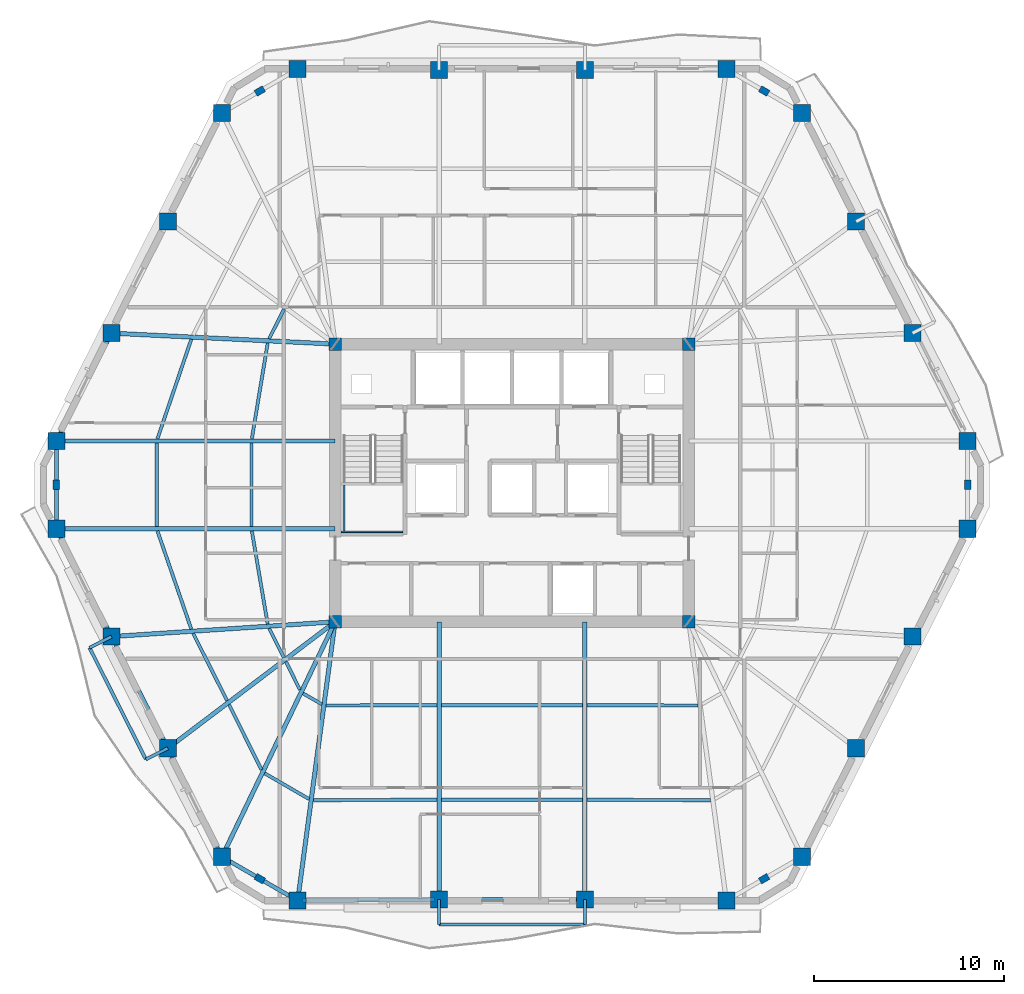
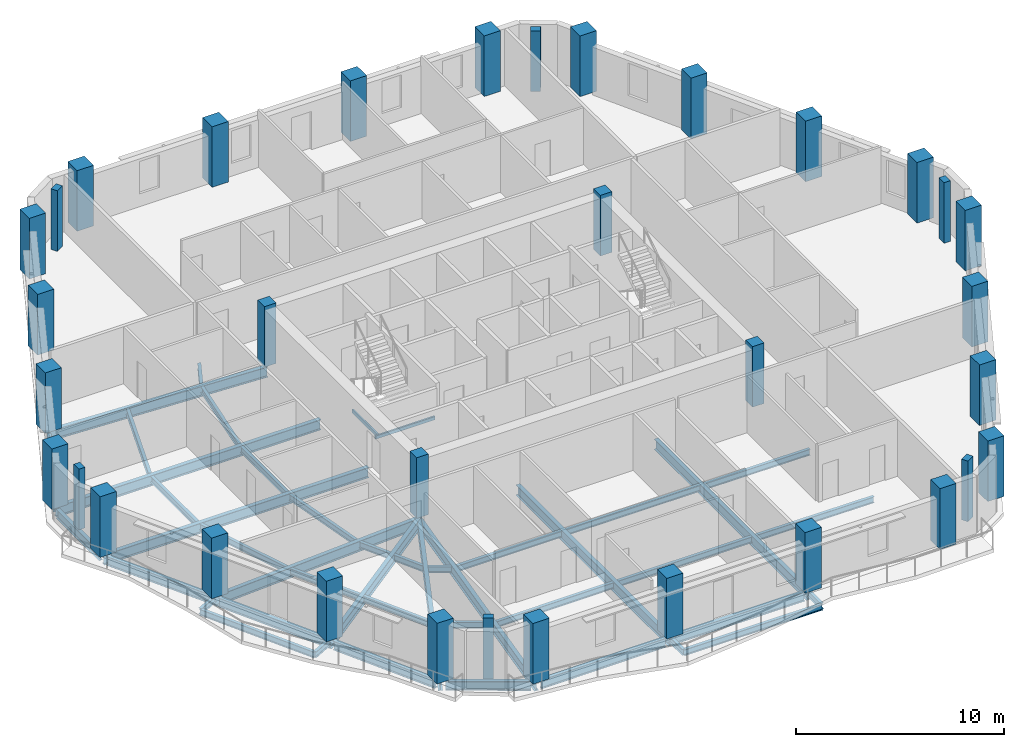
# One storey, part 1 of 12: 44 beams, 34 columns.
"""IFC4 building model written with IfcOpenShell, lengths in metres."""

from ifc_helpers import new_model, si_unit, direction, frame, origin, origin_2d, place, context, subcontext, project, spatial, rectangle, hollow_rectangle, i_section, extrude, material, material_profile, profile_set, type_object, element, save


model = new_model("IFC4")

# Units and contexts
model_context = context("Model", 3, precision=1e-05, world=origin(), true_north=direction((0.0, 1.0)))
body_context = subcontext(model_context, "Body", "Model", "MODEL_VIEW")
ifc_project = project(units=[si_unit("LENGTHUNIT", "METRE"), si_unit("AREAUNIT", "SQUARE_METRE"), si_unit("VOLUMEUNIT", "CUBIC_METRE"), si_unit("PLANEANGLEUNIT", "RADIAN"), si_unit("MASSUNIT", "GRAM", prefix="KILO")], contexts=[model_context])

# Site, building, storey
site_placement = place(None, origin())
site = spatial("IfcSite", under=ifc_project, at=site_placement, CompositionType="ELEMENT")
building_placement = place(site_placement, origin())
building = spatial("IfcBuilding", under=site, at=building_placement, Name="Cinnabar Lancet Tower", CompositionType="ELEMENT")
storey_placement = place(building_placement, frame((0.0, 0.0, 153.5)))
storey = spatial("IfcBuildingStorey", under=building, at=storey_placement, Name="L40", CompositionType="ELEMENT", Elevation=153.5)

# Columns
ifc_material_1 = material(Name="Concrete C60/75", Category="concrete")
ifc_material_profile_1 = material_profile(ifc_material_1, rectangle(XDim=0.64990234375, YDim=0.64990234375, at=origin_2d()), Name="RC-COL 650x650")
ifc_profile_set_1 = profile_set([ifc_material_profile_1], Name="Concrete C60/75")
column_type_1 = type_object("IfcColumnType", Name="STR-COL-CORE-650", PredefinedType="COLUMN", material=ifc_profile_set_1)
for number, where, z_axis, x_axis, name in (
    (1, (23.10009765625, 18.60009765625, 0.0), (0.0, 0.0, 1.0), (1.0, 0.0, 0.0), "L40 Core Corner Column SW"),
    (2, (41.699951171875, 18.60009765625, 0.0), (0.0, 0.0, 1.0), (1.0, 0.0, 0.0), "L40 Core Corner Column SE"),
    (3, (41.699951171875, 33.199951171875, 0.0), (0.0, 0.0, 1.0), (1.0, 0.0, 0.0), "L40 Core Corner Column NE"),
    (4, (23.10009765625, 33.199951171875, 0.0), (0.0, 0.0, 1.0), (1.0, 0.0, 0.0), "L40 Core Corner Column NW"),
):
    element("IfcColumn", number, at=place(storey_placement, frame(where, z_axis=z_axis, x_axis=x_axis)), inside=storey, type_object=column_type_1, Name=name, PredefinedType="COLUMN", context=body_context, shape_type="SweptSolid", body=[
        extrude(rectangle(XDim=0.64990234375, YDim=0.64990234375, at=origin_2d()), origin(), (0.0, 0.0, 1.0), 3.550048828125),
    ])
ifc_material_2 = material(Name="Concrete C60/75", Category="concrete")
ifc_material_profile_2 = material_profile(ifc_material_2, rectangle(XDim=0.5, YDim=0.35009765625, at=origin_2d()), Name="RC-PIL 500x350")
ifc_profile_set_2 = profile_set([ifc_material_profile_2], Name="Concrete C60/75")
column_type_2 = type_object("IfcColumnType", Name="STR-COL-PIL-500", PredefinedType="PILASTER", material=ifc_profile_set_2)
for number, where, z_axis, x_axis, name in (
    (5, (19.14111328125, 5.093017578125, 0.0), (0.0, 0.0, 1.0), (0.865160173452, -0.501495637342, 0.0), "L40 Chamfered Corner Pilaster 1"),
    (6, (45.658935546875, 5.093017578125, 0.0), (0.0, 0.0, 1.0), (0.865160173452, 0.501495637342, 0.0), "L40 Chamfered Corner Pilaster 2"),
    (7, (56.35693359375, 25.800048828125, 0.0), (0.0, 0.0, 1.0), (0.0, 1.0, 0.0), "L40 Chamfered Corner Pilaster 3"),
    (8, (45.658935546875, 46.508056640625, 0.0), (0.0, 0.0, 1.0), (-0.865160173452, 0.501495637342, 0.0), "L40 Chamfered Corner Pilaster 4"),
    (9, (19.14111328125, 46.508056640625, 0.0), (0.0, 0.0, 1.0), (-0.865160173452, -0.501495637342, 0.0), "L40 Chamfered Corner Pilaster 5"),
    (10, (8.443115234375, 25.800048828125, 0.0), (0.0, 0.0, 1.0), (0.0, -1.0, 0.0), "L40 Chamfered Corner Pilaster 6"),
):
    element("IfcColumn", number, at=place(storey_placement, frame(where, z_axis=z_axis, x_axis=x_axis)), inside=storey, type_object=column_type_2, Name=name, PredefinedType="PILASTER", context=body_context, shape_type="SweptSolid", body=[
        extrude(rectangle(XDim=0.5, YDim=0.35009765625, at=origin_2d()), origin(), (0.0, 0.0, 1.0), 3.550048828125),
    ])
ifc_material_3 = material(Name="Concrete C60/75", Category="concrete")
ifc_material_profile_3 = material_profile(ifc_material_3, rectangle(XDim=0.89990234375, YDim=0.89990234375, at=origin_2d()), Name="RC-COL 900x900")
ifc_profile_set_3 = profile_set([ifc_material_profile_3], Name="Concrete C60/75")
column_type_3 = type_object("IfcColumnType", Name="STR-COL-TUBE-900", PredefinedType="COLUMN", material=ifc_profile_set_3)
for number, where, z_axis, x_axis, name in (
    (11, (21.131103515625, 3.93896484375, 0.0), (0.0, 0.0, 1.0), (1.0, 0.0, 0.0), "L40 Perimeter Tube Column 1"),
    (12, (28.568115234375, 3.991943359375, 0.0), (0.0, 0.0, 1.0), (1.0, 0.0, 0.0), "L40 Perimeter Tube Column 2"),
    (13, (36.23193359375, 3.991943359375, 0.0), (0.0, 0.0, 1.0), (1.0, 0.0, 0.0), "L40 Perimeter Tube Column 3"),
    (14, (43.6689453125, 3.93896484375, 0.0), (0.0, 0.0, 1.0), (1.0, 0.0, 0.0), "L40 Perimeter Tube Column 4"),
    (15, (47.64892578125, 6.24609375, 0.0), (0.0, 0.0, 1.0), (1.0, 0.0, 0.0), "L40 Perimeter Tube Column 5"),
    (16, (50.489013671875, 11.955078125, 0.0), (0.0, 0.0, 1.0), (1.0, 0.0, 0.0), "L40 Perimeter Tube Column 6"),
    (17, (53.451904296875, 17.823974609375, 0.0), (0.0, 0.0, 1.0), (1.0, 0.0, 0.0), "L40 Perimeter Tube Column 7"),
    (18, (56.35693359375, 23.490966796875, 0.0), (0.0, 0.0, 1.0), (1.0, 0.0, 0.0), "L40 Perimeter Tube Column 8"),
    (19, (56.35693359375, 28.10888671875, 0.0), (0.0, 0.0, 1.0), (1.0, 0.0, 0.0), "L40 Perimeter Tube Column 9"),
    (20, (53.451904296875, 33.77587890625, 0.0), (0.0, 0.0, 1.0), (1.0, 0.0, 0.0), "L40 Perimeter Tube Column 10"),
    (21, (50.489013671875, 39.64501953125, 0.0), (0.0, 0.0, 1.0), (1.0, 0.0, 0.0), "L40 Perimeter Tube Column 11"),
    (22, (47.64892578125, 45.35400390625, 0.0), (0.0, 0.0, 1.0), (1.0, 0.0, 0.0), "L40 Perimeter Tube Column 12"),
    (23, (43.6689453125, 47.660888671875, 0.0), (0.0, 0.0, 1.0), (1.0, 0.0, 0.0), "L40 Perimeter Tube Column 13"),
    (24, (36.23193359375, 47.60791015625, 0.0), (0.0, 0.0, 1.0), (1.0, 0.0, 0.0), "L40 Perimeter Tube Column 14"),
    (25, (28.568115234375, 47.60791015625, 0.0), (0.0, 0.0, 1.0), (1.0, 0.0, 0.0), "L40 Perimeter Tube Column 15"),
    (26, (21.131103515625, 47.660888671875, 0.0), (0.0, 0.0, 1.0), (1.0, 0.0, 0.0), "L40 Perimeter Tube Column 16"),
    (27, (17.15087890625, 45.35400390625, 0.0), (0.0, 0.0, 1.0), (1.0, 0.0, 0.0), "L40 Perimeter Tube Column 17"),
    (28, (14.31103515625, 39.64501953125, 0.0), (0.0, 0.0, 1.0), (1.0, 0.0, 0.0), "L40 Perimeter Tube Column 18"),
    (29, (11.347900390625, 33.77587890625, 0.0), (0.0, 0.0, 1.0), (1.0, 0.0, 0.0), "L40 Perimeter Tube Column 19"),
    (30, (8.443115234375, 28.10888671875, 0.0), (0.0, 0.0, 1.0), (1.0, 0.0, 0.0), "L40 Perimeter Tube Column 20"),
    (31, (8.443115234375, 23.490966796875, 0.0), (0.0, 0.0, 1.0), (1.0, 0.0, 0.0), "L40 Perimeter Tube Column 21"),
    (32, (11.347900390625, 17.823974609375, 0.0), (0.0, 0.0, 1.0), (1.0, 0.0, 0.0), "L40 Perimeter Tube Column 22"),
    (33, (14.31103515625, 11.955078125, 0.0), (0.0, 0.0, 1.0), (1.0, 0.0, 0.0), "L40 Perimeter Tube Column 23"),
    (34, (17.15087890625, 6.24609375, 0.0), (0.0, 0.0, 1.0), (1.0, 0.0, 0.0), "L40 Perimeter Tube Column 24"),
):
    element("IfcColumn", number, at=place(storey_placement, frame(where, z_axis=z_axis, x_axis=x_axis)), inside=storey, type_object=column_type_3, Name=name, PredefinedType="COLUMN", context=body_context, shape_type="SweptSolid", body=[
        extrude(rectangle(XDim=0.89990234375, YDim=0.89990234375, at=origin_2d()), origin(), (0.0, 0.0, 1.0), 3.550048828125),
    ])

# Beams
ifc_material_4 = material(Name="Structural steel S355", Category="steel")
ifc_material_profile_4 = material_profile(ifc_material_4, i_section(OverallWidth=0.17138671875, OverallDepth=0.35498046875, WebThickness=0.00732421875, FlangeThickness=0.011474609375, FilletRadius=0.01025390625, at=origin_2d()), Name="UKB 356x171x51")
ifc_profile_set_4 = profile_set([ifc_material_profile_4], Name="Structural steel S355")
beam_type_1 = type_object("IfcBeamType", Name="STR-BM-JST-356", PredefinedType="JOIST", material=ifc_profile_set_4)
beam_1_placement = place(storey_placement, frame((13.759033203125, 23.376953125, -0.387939453125), z_axis=(0.326162915393, -0.945313573701, 0.0), x_axis=(0.945313573701, 0.326162915393, 0.0)))
element("IfcBeam", 35, at=beam_1_placement, inside=storey, type_object=beam_type_1, Name="L40 Secondary Floor Joist 1", PredefinedType="JOIST", context=body_context, shape_type="SweptSolid", body=[
    extrude(i_section(OverallWidth=0.17138671875, OverallDepth=0.35498046875, WebThickness=0.00732421875, FlangeThickness=0.011474609375, FilletRadius=0.01025390625, at=origin_2d()), origin(), (0.0, 0.0, 1.0), 5.46044921875),
])
beam_2_placement = place(storey_placement, frame((18.721923828125, 23.376953125, -0.387939453125), z_axis=(0.167697718414, -0.985838463055, 0.0), x_axis=(0.985838463055, 0.167697718414, 0.0)))
element("IfcBeam", 36, at=beam_2_placement, inside=storey, type_object=beam_type_1, Name="L40 Secondary Floor Joist 2", PredefinedType="JOIST", context=body_context, shape_type="SweptSolid", body=[
    extrude(i_section(OverallWidth=0.17138671875, OverallDepth=0.35498046875, WebThickness=0.00732421875, FlangeThickness=0.011474609375, FilletRadius=0.01025390625, at=origin_2d()), origin(), (0.0, 0.0, 1.0), 4.96728515625),
])
beam_3_placement = place(storey_placement, frame((15.635009765625, 17.992919921875, -0.387939453125), z_axis=(0.450656035687, -0.892697674187, 0.0), x_axis=(0.892697674187, 0.450656035687, 0.0)))
element("IfcBeam", 37, at=beam_3_placement, inside=storey, type_object=beam_type_1, Name="L40 Secondary Floor Joist 3", PredefinedType="JOIST", context=body_context, shape_type="SweptSolid", body=[
    extrude(i_section(OverallWidth=0.17138671875, OverallDepth=0.35498046875, WebThickness=0.00732421875, FlangeThickness=0.011474609375, FilletRadius=0.01025390625, at=origin_2d()), origin(), (0.0, 0.0, 1.0), 3.9677734375),
])
beam_4_placement = place(storey_placement, frame((19.6298828125, 18.257080078125, -0.387939453125), z_axis=(0.45064755491, -0.892701955444, 0.0), x_axis=(0.892701955444, 0.45064755491, 0.0)))
element("IfcBeam", 38, at=beam_4_placement, inside=storey, type_object=beam_type_1, Name="L40 Secondary Floor Joist 4", PredefinedType="JOIST", context=body_context, shape_type="SweptSolid", body=[
    extrude(i_section(OverallWidth=0.17138671875, OverallDepth=0.35498046875, WebThickness=0.00732421875, FlangeThickness=0.011474609375, FilletRadius=0.01025390625, at=origin_2d()), origin(), (0.0, 0.0, 1.0), 1.733154296875),
])
beam_5_placement = place(storey_placement, frame((17.527099609375, 14.242919921875, -0.387939453125), z_axis=(0.445320605596, -0.895371184611, 0.0), x_axis=(0.895371184611, 0.445320605596, 0.0)))
element("IfcBeam", 39, at=beam_5_placement, inside=storey, type_object=beam_type_1, Name="L40 Secondary Floor Joist 5", PredefinedType="JOIST", context=body_context, shape_type="SweptSolid", body=[
    extrude(i_section(OverallWidth=0.17138671875, OverallDepth=0.35498046875, WebThickness=0.00732421875, FlangeThickness=0.011474609375, FilletRadius=0.01025390625, at=origin_2d()), origin(), (0.0, 0.0, 1.0), 3.819580078125),
])
beam_6_placement = place(storey_placement, frame((20.514892578125, 16.5029296875, -0.387939453125), z_axis=(0.445322008813, -0.895370486708, 0.0), x_axis=(0.895370486708, 0.445322008813, 0.0)))
element("IfcBeam", 40, at=beam_6_placement, inside=storey, type_object=beam_type_1, Name="L40 Secondary Floor Joist 6", PredefinedType="JOIST", context=body_context, shape_type="SweptSolid", body=[
    extrude(i_section(OverallWidth=0.17138671875, OverallDepth=0.35498046875, WebThickness=0.00732421875, FlangeThickness=0.011474609375, FilletRadius=0.01025390625, at=origin_2d()), origin(), (0.0, 0.0, 1.0), 1.65283203125),
])
beam_7_placement = place(storey_placement, frame((19.39208984375, 10.635986328125, -0.387939453125), z_axis=(0.865150214692, -0.501512817403, 0.0), x_axis=(0.501512817403, 0.865150214692, 0.0)))
element("IfcBeam", 41, at=beam_7_placement, inside=storey, type_object=beam_type_1, Name="L40 Secondary Floor Joist 7", PredefinedType="JOIST", context=body_context, shape_type="SweptSolid", body=[
    extrude(i_section(OverallWidth=0.17138671875, OverallDepth=0.35498046875, WebThickness=0.00732421875, FlangeThickness=0.011474609375, FilletRadius=0.01025390625, at=origin_2d()), origin(), (0.0, 0.0, 1.0), 2.70556640625),
])
beam_8_placement = place(storey_placement, frame((21.4140625, 14.8359375, -0.387939453125), z_axis=(0.865426285481, -0.501036270542, 0.0), x_axis=(0.501036270542, 0.865426285481, 0.0)))
element("IfcBeam", 42, at=beam_8_placement, inside=storey, type_object=beam_type_1, Name="L40 Secondary Floor Joist 8", PredefinedType="JOIST", context=body_context, shape_type="SweptSolid", body=[
    extrude(i_section(OverallWidth=0.17138671875, OverallDepth=0.35498046875, WebThickness=0.00732421875, FlangeThickness=0.011474609375, FilletRadius=0.01025390625, at=origin_2d()), origin(), (0.0, 0.0, 1.0), 1.1416015625),
])
beam_9_placement = place(storey_placement, frame((21.955078125, 9.218017578125, -0.387939453125), z_axis=(0.999987891549, 0.004921052359, 0.0), x_axis=(-0.004921052359, 0.999987891549, 0.0)))
element("IfcBeam", 43, at=beam_9_placement, inside=storey, type_object=beam_type_1, Name="L40 Secondary Floor Joist 9", PredefinedType="JOIST", context=body_context, shape_type="SweptSolid", body=[
    extrude(i_section(OverallWidth=0.17138671875, OverallDepth=0.35498046875, WebThickness=0.00732421875, FlangeThickness=0.011474609375, FilletRadius=0.01025390625, at=origin_2d()), origin(), (0.0, 0.0, 1.0), 6.4990234375),
])
beam_10_placement = place(storey_placement, frame((22.6240234375, 14.201904296875, -0.387939453125), z_axis=(0.999996629591, 0.002596306157, 0.0), x_axis=(-0.002596306157, 0.999996629591, 0.0)))
element("IfcBeam", 44, at=beam_10_placement, inside=storey, type_object=beam_type_1, Name="L40 Secondary Floor Joist 10", PredefinedType="JOIST", context=body_context, shape_type="SweptSolid", body=[
    extrude(i_section(OverallWidth=0.17138671875, OverallDepth=0.35498046875, WebThickness=0.00732421875, FlangeThickness=0.011474609375, FilletRadius=0.01025390625, at=origin_2d()), origin(), (0.0, 0.0, 1.0), 5.830078125),
])
for number, where, z_axis, x_axis, name in (
    (45, (28.681884765625, 9.2509765625, -0.387939453125), (1.0, 0.0, 0.0), (0.0, 1.0, 0.0), "L40 Secondary Floor Joist 11"),
    (46, (28.681884765625, 14.218017578125, -0.387939453125), (1.0, 0.0, 0.0), (0.0, 1.0, 0.0), "L40 Secondary Floor Joist 12"),
):
    element("IfcBeam", number, at=place(storey_placement, frame(where, z_axis=z_axis, x_axis=x_axis)), inside=storey, type_object=beam_type_1, Name=name, PredefinedType="JOIST", context=body_context, shape_type="SweptSolid", body=[
        extrude(i_section(OverallWidth=0.17138671875, OverallDepth=0.35498046875, WebThickness=0.00732421875, FlangeThickness=0.011474609375, FilletRadius=0.01025390625, at=origin_2d()), origin(), (0.0, 0.0, 1.0), 7.43603515625),
    ])
beam_11_placement = place(storey_placement, frame((36.345947265625, 9.25, -0.387939453125), z_axis=(0.999987891549, -0.004921052359, 0.0), x_axis=(0.004921052359, 0.999987891549, 0.0)))
element("IfcBeam", 47, at=beam_11_placement, inside=storey, type_object=beam_type_1, Name="L40 Secondary Floor Joist 13", PredefinedType="JOIST", context=body_context, shape_type="SweptSolid", body=[
    extrude(i_section(OverallWidth=0.17138671875, OverallDepth=0.35498046875, WebThickness=0.00732421875, FlangeThickness=0.011474609375, FilletRadius=0.01025390625, at=origin_2d()), origin(), (0.0, 0.0, 1.0), 6.4990234375),
])
beam_12_placement = place(storey_placement, frame((36.345947265625, 14.217041015625, -0.387939453125), z_axis=(0.999996629591, -0.002596306157, 0.0), x_axis=(0.002596306157, 0.999996629591, 0.0)))
element("IfcBeam", 48, at=beam_12_placement, inside=storey, type_object=beam_type_1, Name="L40 Secondary Floor Joist 14", PredefinedType="JOIST", context=body_context, shape_type="SweptSolid", body=[
    extrude(i_section(OverallWidth=0.17138671875, OverallDepth=0.35498046875, WebThickness=0.00732421875, FlangeThickness=0.011474609375, FilletRadius=0.01025390625, at=origin_2d()), origin(), (0.0, 0.0, 1.0), 5.830078125),
])
beam_13_placement = place(storey_placement, frame((20.410888671875, 35.030029296875, -0.387939453125), z_axis=(-0.45031262143, -0.892870955391, 0.0), x_axis=(0.892870955391, -0.45031262143, 0.0)))
element("IfcBeam", 49, at=beam_13_placement, inside=storey, type_object=beam_type_1, Name="L40 Secondary Floor Joist 44", PredefinedType="JOIST", context=body_context, shape_type="SweptSolid", body=[
    extrude(i_section(OverallWidth=0.17138671875, OverallDepth=0.35498046875, WebThickness=0.00732421875, FlangeThickness=0.011474609375, FilletRadius=0.01025390625, at=origin_2d()), origin(), (0.0, 0.0, 1.0), 1.731689453125),
])
beam_14_placement = place(storey_placement, frame((15.5400390625, 33.4560546875, -0.387939453125), z_axis=(-0.322342106762, -0.946623244067, 0.0), x_axis=(0.946623244067, -0.322342106762, 0.0)))
element("IfcBeam", 50, at=beam_14_placement, inside=storey, type_object=beam_type_1, Name="L40 Secondary Floor Joist 45", PredefinedType="JOIST", context=body_context, shape_type="SweptSolid", body=[
    extrude(i_section(OverallWidth=0.17138671875, OverallDepth=0.35498046875, WebThickness=0.00732421875, FlangeThickness=0.011474609375, FilletRadius=0.01025390625, at=origin_2d()), origin(), (0.0, 0.0, 1.0), 5.5283203125),
])
beam_15_placement = place(storey_placement, frame((19.555908203125, 33.259033203125, -0.387939453125), z_axis=(-0.163375154205, -0.98656401667, 0.0), x_axis=(0.98656401667, -0.163375154205, 0.0)))
element("IfcBeam", 51, at=beam_15_placement, inside=storey, type_object=beam_type_1, Name="L40 Secondary Floor Joist 46", PredefinedType="JOIST", context=body_context, shape_type="SweptSolid", body=[
    extrude(i_section(OverallWidth=0.17138671875, OverallDepth=0.35498046875, WebThickness=0.00732421875, FlangeThickness=0.011474609375, FilletRadius=0.01025390625, at=origin_2d()), origin(), (0.0, 0.0, 1.0), 5.104736328125),
])
for number, where, z_axis, x_axis, name in (
    (52, (13.719970703125, 27.9951171875, -0.387939453125), (0.0, -1.0, 0.0), (1.0, 0.0, 0.0), "L40 Secondary Floor Joist 47"),
    (53, (18.702880859375, 27.9951171875, -0.387939453125), (0.0, -1.0, 0.0), (1.0, 0.0, 0.0), "L40 Secondary Floor Joist 48"),
):
    element("IfcBeam", number, at=place(storey_placement, frame(where, z_axis=z_axis, x_axis=x_axis)), inside=storey, type_object=beam_type_1, Name=name, PredefinedType="JOIST", context=body_context, shape_type="SweptSolid", body=[
        extrude(i_section(OverallWidth=0.17138671875, OverallDepth=0.35498046875, WebThickness=0.00732421875, FlangeThickness=0.011474609375, FilletRadius=0.01025390625, at=origin_2d()), origin(), (0.0, 0.0, 1.0), 4.39013671875),
    ])
ifc_material_5 = material(Name="Structural steel S355", Category="steel")
ifc_material_profile_5 = material_profile(ifc_material_5, hollow_rectangle(XDim=0.10009765625, YDim=0.199951171875, WallThickness=0.008056640625, InnerFilletRadius=0.00390625, OuterFilletRadius=0.011962890625, at=origin_2d()), Name="RHS 200x100x8")
ifc_profile_set_5 = profile_set([ifc_material_profile_5], Name="Structural steel S355")
beam_type_2 = type_object("IfcBeamType", Name="STR-BM-LND-203", PredefinedType="BEAM", material=ifc_profile_set_5)
beam_16_placement = place(storey_placement, frame((23.39990234375, 23.330078125, 1.47509765625), z_axis=(1.0, 0.0, 0.0), x_axis=(0.0, 1.0, 0.0)))
element("IfcBeam", 54, at=beam_16_placement, inside=storey, type_object=beam_type_2, Name="L40 ST-1-L40 Landing Support Beam S", PredefinedType="BEAM", context=body_context, shape_type="SweptSolid", body=[
    extrude(hollow_rectangle(XDim=0.10009765625, YDim=0.199951171875, WallThickness=0.008056640625, InnerFilletRadius=0.00390625, OuterFilletRadius=0.011962890625, at=origin_2d()), origin(), (0.0, 0.0, 1.0), 3.280029296875),
])
beam_17_placement = place(storey_placement, frame((23.580078125, 23.3798828125, 1.47509765625), z_axis=(0.0, 1.0, 0.0), x_axis=(-1.0, 0.0, 0.0)))
element("IfcBeam", 55, at=beam_17_placement, inside=storey, type_object=beam_type_2, Name="L40 ST-1-L40 Landing Side Trimmer Beam", PredefinedType="BEAM", context=body_context, shape_type="SweptSolid", body=[
    extrude(hollow_rectangle(XDim=0.10009765625, YDim=0.199951171875, WallThickness=0.008056640625, InnerFilletRadius=0.00390625, OuterFilletRadius=0.011962890625, at=origin_2d()), origin(), (0.0, 0.0, 1.0), 2.4150390625),
])
ifc_material_6 = material(Name="Structural steel S355", Category="steel")
ifc_material_profile_6 = material_profile(ifc_material_6, i_section(OverallWidth=0.209228515625, OverallDepth=0.533203125, WebThickness=0.010009765625, FlangeThickness=0.015625, FilletRadius=0.0126953125, at=origin_2d()), Name="UKB 533x210x92")
ifc_profile_set_6 = profile_set([ifc_material_profile_6], Name="Structural steel S355")
beam_type_3 = type_object("IfcBeamType", Name="STR-BM-SPN-533", PredefinedType="SPANDREL", material=ifc_profile_set_6)
beam_18_placement = place(storey_placement, frame((21.381103515625, 3.94091796875, -0.47705078125), z_axis=(0.999974980359, 0.007073800628, 0.0), x_axis=(-0.007073800628, 0.999974980359, 0.0)))
element("IfcBeam", 56, at=beam_18_placement, inside=storey, type_object=beam_type_3, Name="L40 Perimeter Spandrel 1", PredefinedType="SPANDREL", context=body_context, shape_type="SweptSolid", body=[
    extrude(i_section(OverallWidth=0.209228515625, OverallDepth=0.533203125, WebThickness=0.010009765625, FlangeThickness=0.015625, FilletRadius=0.0126953125, at=origin_2d()), origin(), (0.0, 0.0, 1.0), 6.937255859375),
])
beam_19_placement = place(storey_placement, frame((28.818115234375, 3.991943359375, -0.47705078125), z_axis=(1.0, 0.0, 0.0), x_axis=(0.0, 1.0, 0.0)))
element("IfcBeam", 57, at=beam_19_placement, inside=storey, type_object=beam_type_3, Name="L40 Perimeter Spandrel 2", PredefinedType="SPANDREL", context=body_context, shape_type="SweptSolid", body=[
    extrude(i_section(OverallWidth=0.209228515625, OverallDepth=0.533203125, WebThickness=0.010009765625, FlangeThickness=0.015625, FilletRadius=0.0126953125, at=origin_2d()), origin(), (0.0, 0.0, 1.0), 7.163818359375),
])
beam_20_placement = place(storey_placement, frame((11.23388671875, 33.553955078125, -0.47705078125), z_axis=(-0.456126618405, -0.889914888055, 0.0), x_axis=(0.889914888055, -0.456126618405, 0.0)))
element("IfcBeam", 58, at=beam_20_placement, inside=storey, type_object=beam_type_3, Name="L40 Perimeter Spandrel 19", PredefinedType="SPANDREL", context=body_context, shape_type="SweptSolid", body=[
    extrude(i_section(OverallWidth=0.209228515625, OverallDepth=0.533203125, WebThickness=0.010009765625, FlangeThickness=0.015625, FilletRadius=0.0126953125, at=origin_2d()), origin(), (0.0, 0.0, 1.0), 5.868896484375),
])
beam_21_placement = place(storey_placement, frame((8.443115234375, 27.85888671875, -0.47705078125), z_axis=(0.0, -1.0, 0.0), x_axis=(1.0, 0.0, 0.0)))
element("IfcBeam", 59, at=beam_21_placement, inside=storey, type_object=beam_type_3, Name="L40 Perimeter Spandrel 20", PredefinedType="SPANDREL", context=body_context, shape_type="SweptSolid", body=[
    extrude(i_section(OverallWidth=0.209228515625, OverallDepth=0.533203125, WebThickness=0.010009765625, FlangeThickness=0.015625, FilletRadius=0.0126953125, at=origin_2d()), origin(), (0.0, 0.0, 1.0), 4.117919921875),
])
beam_22_placement = place(storey_placement, frame((8.556884765625, 23.26904296875, -0.47705078125), z_axis=(0.456109733574, -0.889923542187, 0.0), x_axis=(0.889923542187, 0.456109733574, 0.0)))
element("IfcBeam", 60, at=beam_22_placement, inside=storey, type_object=beam_type_3, Name="L40 Perimeter Spandrel 21", PredefinedType="SPANDREL", context=body_context, shape_type="SweptSolid", body=[
    extrude(i_section(OverallWidth=0.209228515625, OverallDepth=0.533203125, WebThickness=0.010009765625, FlangeThickness=0.015625, FilletRadius=0.0126953125, at=origin_2d()), origin(), (0.0, 0.0, 1.0), 5.869140625),
])
beam_23_placement = place(storey_placement, frame((11.4609375, 17.60107421875, -0.47705078125), z_axis=(0.450570325924, -0.892740937449, 0.0), x_axis=(0.892740937449, 0.450570325924, 0.0)))
element("IfcBeam", 61, at=beam_23_placement, inside=storey, type_object=beam_type_3, Name="L40 Perimeter Spandrel 22", PredefinedType="SPANDREL", context=body_context, shape_type="SweptSolid", body=[
    extrude(i_section(OverallWidth=0.209228515625, OverallDepth=0.533203125, WebThickness=0.010009765625, FlangeThickness=0.015625, FilletRadius=0.0126953125, at=origin_2d()), origin(), (0.0, 0.0, 1.0), 6.07470703125),
])
beam_24_placement = place(storey_placement, frame((14.422119140625, 11.73095703125, -0.47705078125), z_axis=(0.445501068635, -0.89528140707, 0.0), x_axis=(0.89528140707, 0.445501068635, 0.0)))
element("IfcBeam", 62, at=beam_24_placement, inside=storey, type_object=beam_type_3, Name="L40 Perimeter Spandrel 23", PredefinedType="SPANDREL", context=body_context, shape_type="SweptSolid", body=[
    extrude(i_section(OverallWidth=0.209228515625, OverallDepth=0.533203125, WebThickness=0.010009765625, FlangeThickness=0.015625, FilletRadius=0.0126953125, at=origin_2d()), origin(), (0.0, 0.0, 1.0), 5.87646484375),
])
beam_25_placement = place(storey_placement, frame((17.366943359375, 6.12109375, -0.47705078125), z_axis=(0.865112299906, -0.501578217781, 0.0), x_axis=(0.501578217781, 0.865112299906, 0.0)))
element("IfcBeam", 63, at=beam_25_placement, inside=storey, type_object=beam_type_3, Name="L40 Perimeter Spandrel 24", PredefinedType="SPANDREL", context=body_context, shape_type="SweptSolid", body=[
    extrude(i_section(OverallWidth=0.209228515625, OverallDepth=0.533203125, WebThickness=0.010009765625, FlangeThickness=0.015625, FilletRadius=0.0126953125, at=origin_2d()), origin(), (0.0, 0.0, 1.0), 4.101318359375),
])
ifc_material_7 = material(Name="Structural steel S355", Category="steel")
ifc_material_profile_7 = material_profile(ifc_material_7, i_section(OverallWidth=0.228271484375, OverallDepth=0.607666015625, WebThickness=0.010986328125, FlangeThickness=0.017333984375, FilletRadius=0.0126953125, at=origin_2d()), Name="UKB 610x229x113")
ifc_profile_set_7 = profile_set([ifc_material_profile_7], Name="Structural steel S355")
beam_type_4 = type_object("IfcBeamType", Name="STR-BM-UKB610-113", PredefinedType="BEAM", material=ifc_profile_set_7)
beam_26_placement = place(storey_placement, frame((14.31103515625, 11.955078125, -0.513916015625), z_axis=(0.797675450227, 0.603086955675, 0.0), x_axis=(-0.603086955675, 0.797675450227, 0.0)))
element("IfcBeam", 64, at=beam_26_placement, inside=storey, type_object=beam_type_4, Name="L40 Corner Collector Girder 1", PredefinedType="BEAM", context=body_context, shape_type="SweptSolid", body=[
    extrude(i_section(OverallWidth=0.228271484375, OverallDepth=0.607666015625, WebThickness=0.010986328125, FlangeThickness=0.017333984375, FilletRadius=0.0126953125, at=origin_2d()), origin(), (0.0, 0.0, 1.0), 11.018310546875),
])
beam_27_placement = place(storey_placement, frame((21.131103515625, 3.93896484375, -0.513916015625), z_axis=(0.133105256814, 0.991101907277, 0.0), x_axis=(-0.991101907277, 0.133105256814, 0.0)))
element("IfcBeam", 65, at=beam_27_placement, inside=storey, type_object=beam_type_4, Name="L40 Primary Floor Girder 1", PredefinedType="BEAM", context=body_context, shape_type="SweptSolid", body=[
    extrude(i_section(OverallWidth=0.228271484375, OverallDepth=0.607666015625, WebThickness=0.010986328125, FlangeThickness=0.017333984375, FilletRadius=0.0126953125, at=origin_2d()), origin(), (0.0, 0.0, 1.0), 14.792724609375),
])
for number, where, z_axis, x_axis, name in (
    (66, (28.568115234375, 3.991943359375, -0.513916015625), (0.0, 1.0, 0.0), (-1.0, 0.0, 0.0), "L40 Primary Floor Girder 2"),
    (67, (36.23193359375, 3.991943359375, -0.513916015625), (0.0, 1.0, 0.0), (-1.0, 0.0, 0.0), "L40 Primary Floor Girder 3"),
):
    element("IfcBeam", number, at=place(storey_placement, frame(where, z_axis=z_axis, x_axis=x_axis)), inside=storey, type_object=beam_type_4, Name=name, PredefinedType="BEAM", context=body_context, shape_type="SweptSolid", body=[
        extrude(i_section(OverallWidth=0.228271484375, OverallDepth=0.607666015625, WebThickness=0.010986328125, FlangeThickness=0.017333984375, FilletRadius=0.0126953125, at=origin_2d()), origin(), (0.0, 0.0, 1.0), 14.608154296875),
    ])
beam_28_placement = place(storey_placement, frame((11.347900390625, 33.77587890625, -0.513916015625), z_axis=(0.99880136637, -0.048947221955, 0.0), x_axis=(0.048947221955, 0.99880136637, 0.0)))
element("IfcBeam", 68, at=beam_28_placement, inside=storey, type_object=beam_type_4, Name="L40 Primary Floor Girder 19", PredefinedType="BEAM", context=body_context, shape_type="SweptSolid", body=[
    extrude(i_section(OverallWidth=0.228271484375, OverallDepth=0.607666015625, WebThickness=0.010986328125, FlangeThickness=0.017333984375, FilletRadius=0.0126953125, at=origin_2d()), origin(), (0.0, 0.0, 1.0), 11.766357421875),
])
for number, where, z_axis, x_axis, name in (
    (69, (8.443115234375, 28.10888671875, -0.513916015625), (1.0, 0.0, 0.0), (0.0, 1.0, 0.0), "L40 Primary Floor Girder 20"),
    (70, (8.443115234375, 23.490966796875, -0.513916015625), (1.0, 0.0, 0.0), (0.0, 1.0, 0.0), "L40 Primary Floor Girder 21"),
):
    element("IfcBeam", number, at=place(storey_placement, frame(where, z_axis=z_axis, x_axis=x_axis)), inside=storey, type_object=beam_type_4, Name=name, PredefinedType="BEAM", context=body_context, shape_type="SweptSolid", body=[
        extrude(i_section(OverallWidth=0.228271484375, OverallDepth=0.607666015625, WebThickness=0.010986328125, FlangeThickness=0.017333984375, FilletRadius=0.0126953125, at=origin_2d()), origin(), (0.0, 0.0, 1.0), 14.656982421875),
    ])
beam_29_placement = place(storey_placement, frame((11.347900390625, 17.823974609375, -0.513916015625), z_axis=(0.997826421842, 0.065897131002, 0.0), x_axis=(-0.065897131002, 0.997826421842, 0.0)))
element("IfcBeam", 71, at=beam_29_placement, inside=storey, type_object=beam_type_4, Name="L40 Primary Floor Girder 22", PredefinedType="BEAM", context=body_context, shape_type="SweptSolid", body=[
    extrude(i_section(OverallWidth=0.228271484375, OverallDepth=0.607666015625, WebThickness=0.010986328125, FlangeThickness=0.017333984375, FilletRadius=0.0126953125, at=origin_2d()), origin(), (0.0, 0.0, 1.0), 11.77783203125),
])
beam_30_placement = place(storey_placement, frame((17.15087890625, 6.24609375, -0.513916015625), z_axis=(0.433874505515, 0.900973314513, 0.0), x_axis=(-0.900973314513, 0.433874505515, 0.0)))
element("IfcBeam", 72, at=beam_30_placement, inside=storey, type_object=beam_type_4, Name="L40 Primary Floor Girder 24", PredefinedType="BEAM", context=body_context, shape_type="SweptSolid", body=[
    extrude(i_section(OverallWidth=0.228271484375, OverallDepth=0.607666015625, WebThickness=0.010986328125, FlangeThickness=0.017333984375, FilletRadius=0.0126953125, at=origin_2d()), origin(), (0.0, 0.0, 1.0), 13.7119140625),
])
ifc_material_8 = material(Name="Structural steel S355", Category="steel")
ifc_material_profile_8 = material_profile(ifc_material_8, i_section(OverallWidth=0.17138671875, OverallDepth=0.35498046875, WebThickness=0.00732421875, FlangeThickness=0.011474609375, FilletRadius=0.01025390625, at=origin_2d()), Name="UKB 356x171x51")
ifc_profile_set_8 = profile_set([ifc_material_profile_8], Name="Structural steel S355")
beam_type_5 = type_object("IfcBeamType", Name="STR-BM-WAV-OUT", PredefinedType="BEAM", material=ifc_profile_set_8)
for number, where, z_axis, x_axis, name in (
    (73, (28.568115234375, 3.991943359375, -0.39794921875), (0.0, -1.0, 0.0), (1.0, 0.0, 0.0), "L40 Face 1 Balcony Outlooker A"),
    (74, (36.23193359375, 3.991943359375, -0.39794921875), (0.0, -1.0, 0.0), (1.0, 0.0, 0.0), "L40 Face 1 Balcony Outlooker B"),
    (75, (11.347900390625, 17.823974609375, -0.39794921875), (-0.89227592947, -0.451490493464, 0.0), (0.451490493464, -0.89227592947, 0.0), "L40 Face 6 Balcony Outlooker A"),
):
    element("IfcBeam", number, at=place(storey_placement, frame(where, z_axis=z_axis, x_axis=x_axis)), inside=storey, type_object=beam_type_5, Name=name, PredefinedType="BEAM", context=body_context, shape_type="SweptSolid", body=[
        extrude(i_section(OverallWidth=0.17138671875, OverallDepth=0.35498046875, WebThickness=0.00732421875, FlangeThickness=0.011474609375, FilletRadius=0.01025390625, at=origin_2d()), origin(), (0.0, 0.0, 1.0), 1.300048828125),
    ])
beam_31_placement = place(storey_placement, frame((14.31103515625, 11.955078125, -0.39794921875), z_axis=(-0.892238560088, -0.451564338597, 0.0), x_axis=(0.451564338597, -0.892238560088, 0.0)))
element("IfcBeam", 76, at=beam_31_placement, inside=storey, type_object=beam_type_5, Name="L40 Face 6 Balcony Outlooker B", PredefinedType="BEAM", context=body_context, shape_type="SweptSolid", body=[
    extrude(i_section(OverallWidth=0.17138671875, OverallDepth=0.35498046875, WebThickness=0.00732421875, FlangeThickness=0.011474609375, FilletRadius=0.01025390625, at=origin_2d()), origin(), (0.0, 0.0, 1.0), 1.30029296875),
])
ifc_material_9 = material(Name="Structural steel S355", Category="steel")
ifc_material_profile_9 = material_profile(ifc_material_9, i_section(OverallWidth=0.17138671875, OverallDepth=0.35498046875, WebThickness=0.00732421875, FlangeThickness=0.011474609375, FilletRadius=0.01025390625, at=origin_2d()), Name="UKB 356x171x51")
ifc_profile_set_9 = profile_set([ifc_material_profile_9], Name="Structural steel S355")
beam_type_6 = type_object("IfcBeamType", Name="STR-BM-WAV-TRIM", PredefinedType="SPANDREL", material=ifc_profile_set_9)
beam_32_placement = place(storey_placement, frame((28.568115234375, 2.69189453125, -0.39794921875), z_axis=(1.0, 0.0, 0.0), x_axis=(0.0, 1.0, 0.0)))
element("IfcBeam", 77, at=beam_32_placement, inside=storey, type_object=beam_type_6, Name="L40 Face 1 Balcony Edge Trimmer", PredefinedType="SPANDREL", context=body_context, shape_type="SweptSolid", body=[
    extrude(i_section(OverallWidth=0.17138671875, OverallDepth=0.35498046875, WebThickness=0.00732421875, FlangeThickness=0.011474609375, FilletRadius=0.01025390625, at=origin_2d()), origin(), (0.0, 0.0, 1.0), 7.663818359375),
])
beam_33_placement = place(storey_placement, frame((10.18798828125, 17.237060546875, -0.39794921875), z_axis=(0.450656296771, -0.892697542385, 0.0), x_axis=(0.892697542385, 0.450656296771, 0.0)))
element("IfcBeam", 78, at=beam_33_placement, inside=storey, type_object=beam_type_6, Name="L40 Face 6 Balcony Edge Trimmer", PredefinedType="SPANDREL", context=body_context, shape_type="SweptSolid", body=[
    extrude(i_section(OverallWidth=0.17138671875, OverallDepth=0.35498046875, WebThickness=0.00732421875, FlangeThickness=0.011474609375, FilletRadius=0.01025390625, at=origin_2d()), origin(), (0.0, 0.0, 1.0), 6.57470703125),
])

save(model, "model.ifc")
